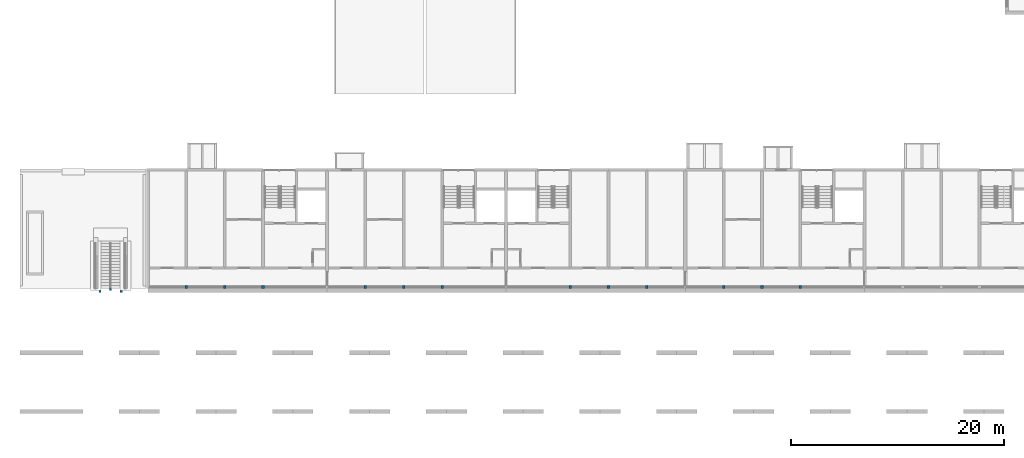
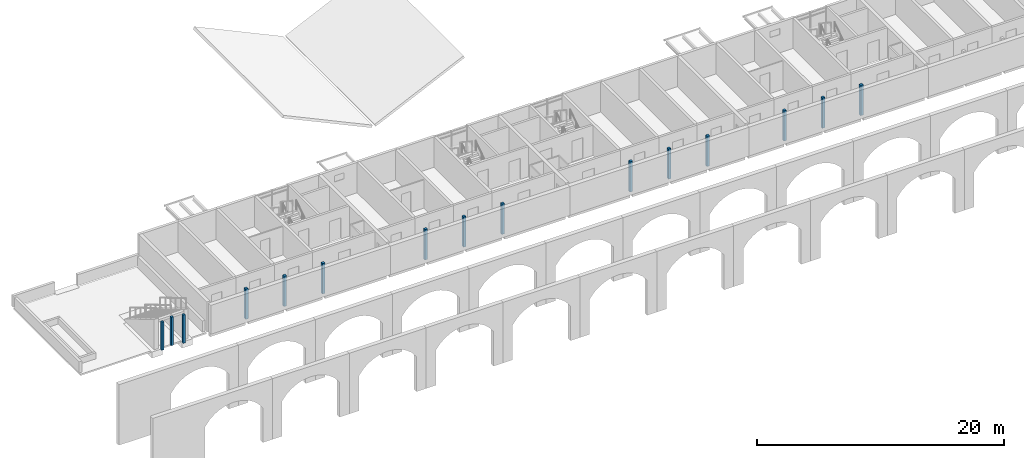
# One storey, part 2 of 122: 15 columns.
"""IFC4 building model written with IfcOpenShell, lengths in metres."""

from ifc_helpers import new_model, si_unit, direction, frame, origin, origin_2d, place, context, subcontext, project, spatial, rectangle, extrude, material, material_profile, profile_set, type_object, element, save


model = new_model("IFC4")

# Units and contexts
model_context = context("Model", 3, precision=1e-05, world=origin(), true_north=direction((0.0, 1.0)))
body_context = subcontext(model_context, "Body", "Model", "MODEL_VIEW")
ifc_project = project(units=[si_unit("LENGTHUNIT", "METRE"), si_unit("AREAUNIT", "SQUARE_METRE"), si_unit("VOLUMEUNIT", "CUBIC_METRE"), si_unit("PLANEANGLEUNIT", "RADIAN"), si_unit("MASSUNIT", "GRAM", prefix="KILO")], contexts=[model_context])

# Site, building, storey
site_placement = place(None, origin())
site = spatial("IfcSite", under=ifc_project, at=site_placement, CompositionType="ELEMENT")
building_placement = place(site_placement, origin())
building = spatial("IfcBuilding", under=site, at=building_placement, Name="Ridgestep Commons", CompositionType="ELEMENT")
storey_placement = place(building_placement, frame((0.0, 0.0, 3.0)))
storey = spatial("IfcBuildingStorey", under=building, at=storey_placement, Name="L01", CompositionType="ELEMENT", Elevation=3.0)

# Columns
ifc_material_1 = material(Name="Precast concrete C40/50", Category="concrete")
ifc_material_profile_1 = material_profile(ifc_material_1, rectangle(XDim=0.199951171875, YDim=0.199951171875, at=origin_2d()), Name="Community landing post 200")
ifc_profile_set_1 = profile_set([ifc_material_profile_1], Name="Precast concrete C40/50")
column_type_1 = type_object("IfcColumnType", Name="Community landing post 200", PredefinedType="COLUMN", material=ifc_profile_set_1)
for number, where, z_axis, x_axis, name in (
    (1, (7.5, 11.449951171875, 0.0), (0.0, 0.0, 1.0), (1.0, 0.0, 0.0), "Landing post"),
    (2, (9.5, 11.449951171875, 0.0), (0.0, 0.0, 1.0), (1.0, 0.0, 0.0), "Landing post"),
    (3, (8.5, 11.64990234375, 0.0), (0.0, 0.0, 1.0), (1.0, 0.0, 0.0), "Landing post"),
):
    element("IfcColumn", number, at=place(storey_placement, frame(where, z_axis=z_axis, x_axis=x_axis)), inside=storey, type_object=column_type_1, Name=name, PredefinedType="COLUMN", context=body_context, shape_type="SweptSolid", body=[
        extrude(rectangle(XDim=0.199951171875, YDim=0.199951171875, at=origin_2d()), origin(), (0.0, 0.0, 1.0), 2.800048828125),
    ])
ifc_material_2 = material(Name="Precast concrete C40/50", Category="concrete")
ifc_material_profile_2 = material_profile(ifc_material_2, rectangle(XDim=0.25, YDim=0.25, at=origin_2d()), Name="PC 250x250")
ifc_profile_set_2 = profile_set([ifc_material_profile_2], Name="Precast concrete C40/50")
column_type_2 = type_object("IfcColumnType", Name="Loggia column 250 x 250", PredefinedType="COLUMN", material=ifc_profile_set_2)
for number, where, z_axis, x_axis, name in (
    (4, (15.60009765625, 11.875, 0.0), (0.0, 0.0, 1.0), (1.0, 0.0, 0.0), "Loggia column A L01"),
    (5, (19.199951171875, 11.875, 0.0), (0.0, 0.0, 1.0), (1.0, 0.0, 0.0), "Loggia column A L01"),
    (6, (22.800048828125, 11.875, 0.0), (0.0, 0.0, 1.0), (1.0, 0.0, 0.0), "Loggia column A L01"),
    (7, (32.39990234375, 11.875, 0.0), (0.0, 0.0, 1.0), (1.0, 0.0, 0.0), "Loggia column A L01"),
    (8, (36.0, 11.875, 0.0), (0.0, 0.0, 1.0), (1.0, 0.0, 0.0), "Loggia column A L01"),
    (9, (39.60009765625, 11.875, 0.0), (0.0, 0.0, 1.0), (1.0, 0.0, 0.0), "Loggia column A L01"),
    (10, (51.60009765625, 11.875, 0.0), (0.0, 0.0, 1.0), (1.0, 0.0, 0.0), "Loggia column A L01"),
    (11, (55.199951171875, 11.875, 0.0), (0.0, 0.0, 1.0), (1.0, 0.0, 0.0), "Loggia column A L01"),
    (12, (58.800048828125, 11.875, 0.0), (0.0, 0.0, 1.0), (1.0, 0.0, 0.0), "Loggia column A L01"),
    (13, (66.0, 11.875, 0.0), (0.0, 0.0, 1.0), (1.0, 0.0, 0.0), "Loggia column A L01"),
    (14, (69.60009765625, 11.875, 0.0), (0.0, 0.0, 1.0), (1.0, 0.0, 0.0), "Loggia column A L01"),
    (15, (73.199951171875, 11.875, 0.0), (0.0, 0.0, 1.0), (1.0, 0.0, 0.0), "Loggia column A L01"),
):
    element("IfcColumn", number, at=place(storey_placement, frame(where, z_axis=z_axis, x_axis=x_axis)), inside=storey, type_object=column_type_2, Name=name, PredefinedType="COLUMN", context=body_context, shape_type="SweptSolid", body=[
        extrude(rectangle(XDim=0.25, YDim=0.25, at=origin_2d()), origin(), (0.0, 0.0, 1.0), 3.0),
    ])

save(model, "model.ifc")
